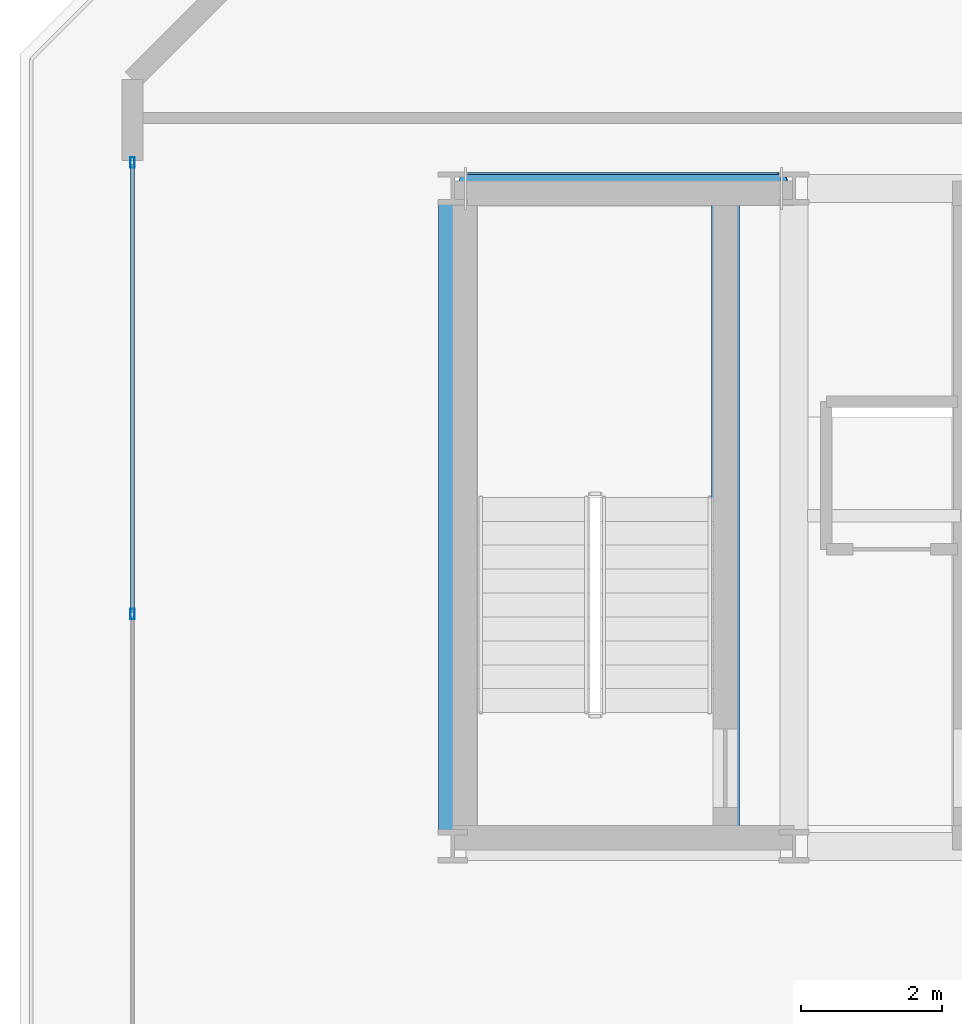
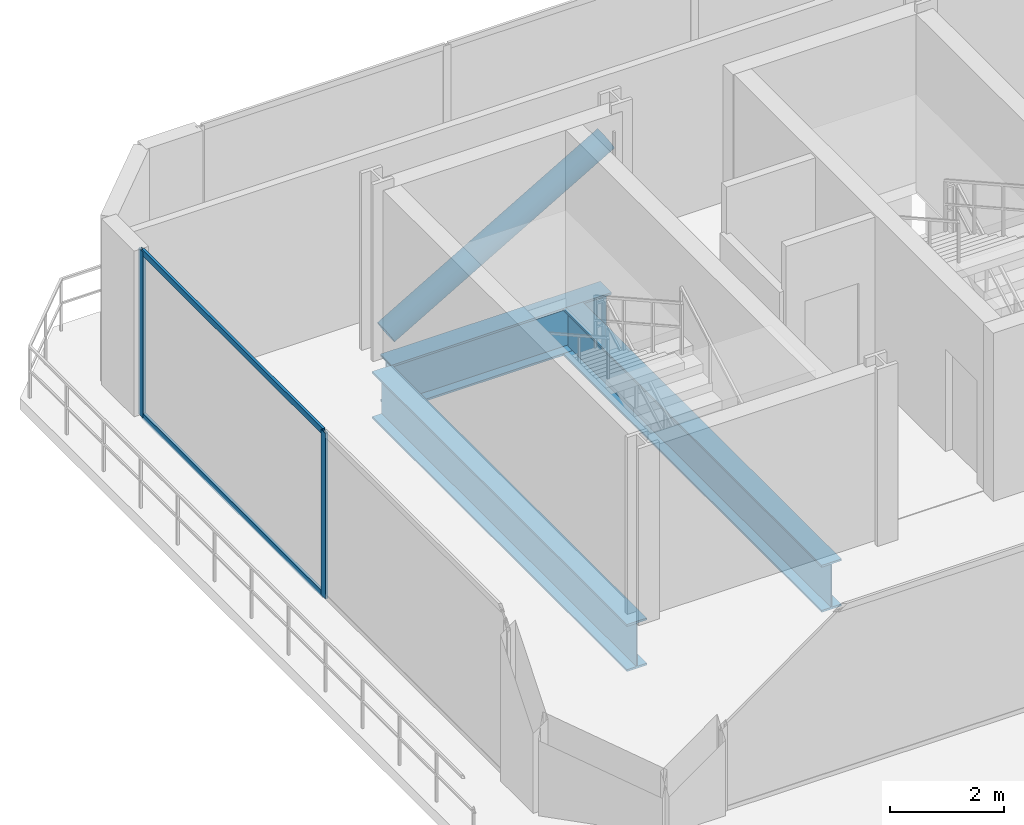
# One storey, part 4 of 12: 5 members, 3 beams, 1 element without a shape of its own.
"""IFC4 building model written with IfcOpenShell, lengths in metres."""

from ifc_helpers import new_model, si_unit, direction, frame, origin, origin_2d, place, context, subcontext, project, spatial, hollow_rectangle, hollow_circle, i_section, extrude, material, layer, layer_set, material_profile, profile_set, type_object, element, aggregate, save


model = new_model("IFC4")

# Units and contexts
model_context = context("Model", 3, precision=1e-05, world=origin(), true_north=direction((0.0, 1.0)))
body_context = subcontext(model_context, "Body", "Model", "MODEL_VIEW")
ifc_project = project(units=[si_unit("LENGTHUNIT", "METRE"), si_unit("AREAUNIT", "SQUARE_METRE"), si_unit("VOLUMEUNIT", "CUBIC_METRE"), si_unit("PLANEANGLEUNIT", "RADIAN"), si_unit("MASSUNIT", "GRAM", prefix="KILO")], contexts=[model_context])

# Site, building, storey
site_placement = place(None, origin())
site = spatial("IfcSite", under=ifc_project, at=site_placement, CompositionType="ELEMENT")
building_placement = place(site_placement, origin())
building = spatial("IfcBuilding", under=site, at=building_placement, Name="Zuhayl Quay Hotel", CompositionType="ELEMENT")
storey_placement = place(building_placement, frame((0.0, 0.0, 312.449951171875)))
storey = spatial("IfcBuildingStorey", under=building, at=storey_placement, Name="Crown 5", CompositionType="ELEMENT", Elevation=312.449951171875)

# Beams
ifc_material_1 = material(Name="Steel ASTM A992 Grade 50", Category="steel")
ifc_material_profile_1 = material_profile(ifc_material_1, i_section(OverallWidth=0.40087890625, OverallDepth=1.010986328125, WebThickness=0.023681640625, FlangeThickness=0.0419921875, at=origin_2d()), Name="W40X297")
ifc_profile_set_1 = profile_set([ifc_material_profile_1], Name="Steel ASTM A992 Grade 50")
beam_type = type_object("IfcBeamType", Name="BM_TG2_W40X297", PredefinedType="BEAM", material=ifc_profile_set_1)
beam_1_placement = place(storey_placement, frame((-9.260009765625, 34.449951171875, -0.745361328125), z_axis=(1.0, 0.0, 0.0), x_axis=(0.0, 1.0, 0.0)))
element("IfcBeam", 1, at=beam_1_placement, inside=storey, type_object=beam_type, Name="Crown 5 Floor Beam CR_EW_5_2_1", PredefinedType="BEAM", context=body_context, shape_type="SweptSolid", body=[
    extrude(i_section(OverallWidth=0.40087890625, OverallDepth=1.010986328125, WebThickness=0.023681640625, FlangeThickness=0.0419921875, at=origin_2d()), origin(), (0.0, 0.0, 1.0), 4.469970703125),
])
beam_2_placement = place(storey_placement, frame((-9.449951171875, 25.2900390625, -0.745361328125), z_axis=(0.0, 1.0, 0.0), x_axis=(-1.0, 0.0, 0.0)))
element("IfcBeam", 2, at=beam_2_placement, inside=storey, type_object=beam_type, Name="Crown 5 Floor Beam CR_NS_5_1", PredefinedType="BEAM", context=body_context, shape_type="SweptSolid", body=[
    extrude(i_section(OverallWidth=0.40087890625, OverallDepth=1.010986328125, WebThickness=0.023681640625, FlangeThickness=0.0419921875, at=origin_2d()), origin(), (0.0, 0.0, 1.0), 8.969970703125),
])
beam_3_placement = place(storey_placement, frame((-5.574951171875, 25.14990234375, -0.745361328125), z_axis=(0.0, 1.0, 0.0), x_axis=(-1.0, 0.0, 0.0)))
element("IfcBeam", 3, at=beam_3_placement, inside=storey, type_object=beam_type, Name="Crown 5 Floor Beam CR_ST5_E_5", PredefinedType="BEAM", context=body_context, shape_type="SweptSolid", body=[
    extrude(i_section(OverallWidth=0.40087890625, OverallDepth=1.010986328125, WebThickness=0.023681640625, FlangeThickness=0.0419921875, at=origin_2d()), origin(), (0.0, 0.0, 1.0), 9.25),
])

# Curtain wall, members
ifc_material_2 = material(Name="Anodised Aluminium 6063-T6", Category="aluminium")
ifc_layer = layer(ifc_material_2, 0.159912109375, Name="Anodised Aluminium 6063-T6", Category="aluminium")
ifc_layer_set = layer_set([ifc_layer], Name="Anodised Aluminium 6063-T6")
curtain_wall_type = type_object("IfcCurtainWallType", Name="CW_SYS_CRN", PredefinedType="USERDEFINED", material=ifc_layer_set)
curtain_wall_placement = place(storey_placement, origin())
curtain_wall = element("IfcCurtainWall", 4, at=curtain_wall_placement, inside=storey, type_object=curtain_wall_type, Name="Crown 5 Curtain Wall ENV_CR5_E1_CW1", ObjectType="UNITISED CURTAIN WALL", PredefinedType="USERDEFINED")
ifc_material_3 = material(Name="Black-anodised aluminium 6063-T6", Category="aluminium")
ifc_material_profile_2 = material_profile(ifc_material_3, hollow_rectangle(XDim=0.06005859375, YDim=0.14990234375, WallThickness=0.00341796875, at=origin_2d()), Name="ALU150X60")
ifc_profile_set_2 = profile_set([ifc_material_profile_2], Name="Black-anodised aluminium 6063-T6")
member_type_1 = type_object("IfcMemberType", Name="MB_CW_MUL_150", PredefinedType="MULLION", material=ifc_profile_set_2)
member_1_placement = place(storey_placement, frame((-14.0, 28.39990234375, 0.0), z_axis=(0.0, 0.0, 1.0), x_axis=(-1.0, 0.0, 0.0)))
member_1 = element("IfcMember", 5, at=member_1_placement, type_object=member_type_1, Name="CW-CRN mullion 2", PredefinedType="MULLION", context=body_context, shape_type="SweptSolid", body=[
    extrude(hollow_rectangle(XDim=0.06005859375, YDim=0.14990234375, WallThickness=0.00341796875, at=origin_2d()), origin(), (0.0, 0.0, 1.0), 3.56005859375),
])
member_2_placement = place(storey_placement, frame((-14.0, 34.820068359375, 0.0), z_axis=(0.0, 0.0, 1.0), x_axis=(-1.0, 0.0, 0.0)))
member_2 = element("IfcMember", 6, at=member_2_placement, type_object=member_type_1, Name="CW-CRN mullion 3", PredefinedType="MULLION", context=body_context, shape_type="SweptSolid", body=[
    extrude(hollow_rectangle(XDim=0.06005859375, YDim=0.14990234375, WallThickness=0.00341796875, at=origin_2d()), origin(), (0.0, 0.0, 1.0), 3.56005859375),
])
ifc_material_profile_3 = material_profile(ifc_material_3, hollow_rectangle(XDim=0.054931640625, YDim=0.1298828125, WallThickness=0.0029296875, at=origin_2d()), Name="ALU130X55")
ifc_profile_set_3 = profile_set([ifc_material_profile_3], Name="Black-anodised aluminium 6063-T6")
member_type_2 = type_object("IfcMemberType", Name="MB_CW_TRN_130", PredefinedType="USERDEFINED", material=ifc_profile_set_3)
member_3_placement = place(storey_placement, frame((-14.0, 28.429931640625, 0.027587890625), z_axis=(0.0, 1.0, 0.0), x_axis=(-1.0, 0.0, 0.0)))
member_3 = element("IfcMember", 7, at=member_3_placement, type_object=member_type_2, Name="CW-CRN transom 2.1", ObjectType="TRANSOM", PredefinedType="USERDEFINED", context=body_context, shape_type="SweptSolid", body=[
    extrude(hollow_rectangle(XDim=0.054931640625, YDim=0.1298828125, WallThickness=0.0029296875, at=origin_2d()), origin(), (0.0, 0.0, 1.0), 6.360107421875),
])
member_4_placement = place(storey_placement, frame((-14.0, 28.429931640625, 3.532470703125), z_axis=(0.0, 1.0, 0.0), x_axis=(-1.0, 0.0, 0.0)))
member_4 = element("IfcMember", 8, at=member_4_placement, type_object=member_type_2, Name="CW-CRN transom 2.2", ObjectType="TRANSOM", PredefinedType="USERDEFINED", context=body_context, shape_type="SweptSolid", body=[
    extrude(hollow_rectangle(XDim=0.054931640625, YDim=0.1298828125, WallThickness=0.0029296875, at=origin_2d()), origin(), (0.0, 0.0, 1.0), 6.360107421875),
])
aggregate(curtain_wall, [member_1, member_2, member_3, member_4])

# Member
ifc_material_4 = material(Name="Steel ASTM A500 Grade C", Category="steel")
ifc_material_profile_4 = material_profile(ifc_material_4, hollow_circle(Radius=0.228515625, WallThickness=0.01611328125, at=origin_2d()), Name="CHS457X16")
ifc_profile_set_4 = profile_set([ifc_material_profile_4], Name="Steel ASTM A500 Grade C")
member_type_3 = type_object("IfcMemberType", Name="MB_ST_CHS457", PredefinedType="STRUT", material=ifc_profile_set_4)
member_5_placement = place(storey_placement, frame((-9.260009765625, 34.449951171875, 0.35009765625), z_axis=(0.864420343333, 0.0, 0.50276979825), x_axis=(0.0, 1.0, 0.0)))
element("IfcMember", 9, at=member_5_placement, inside=storey, type_object=member_type_3, Name="Crown 5 Crown Lateral Brace CD1", PredefinedType="STRUT", context=body_context, shape_type="SweptSolid", body=[
    extrude(hollow_circle(Radius=0.228515625, WallThickness=0.01611328125, at=origin_2d()), origin(), (0.0, 0.0, 1.0), 5.171142578125),
])

save(model, "model.ifc")
